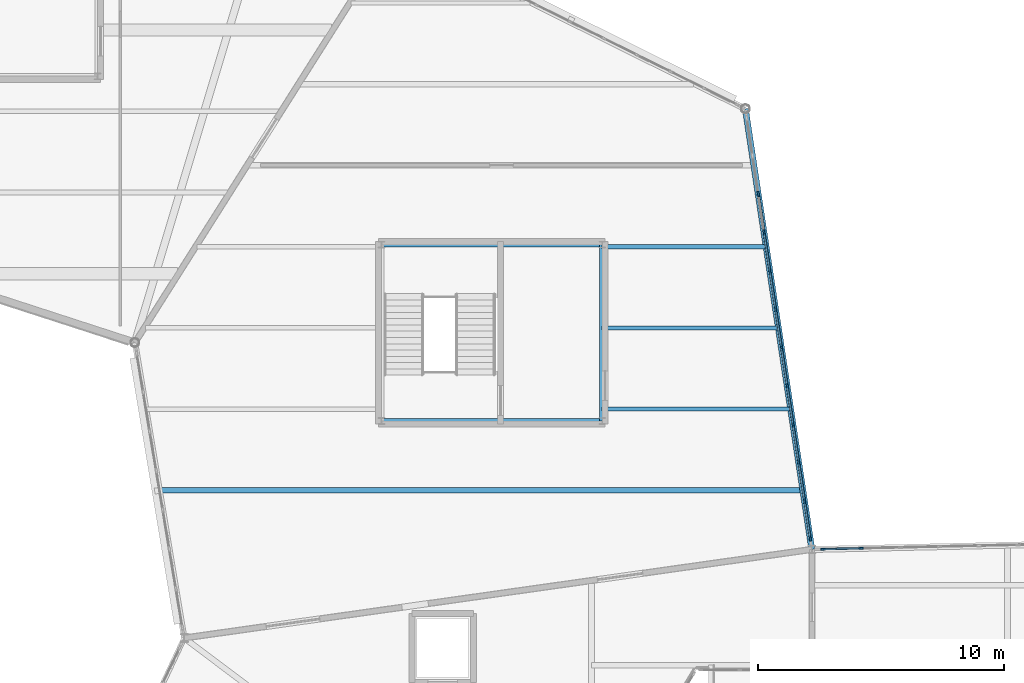
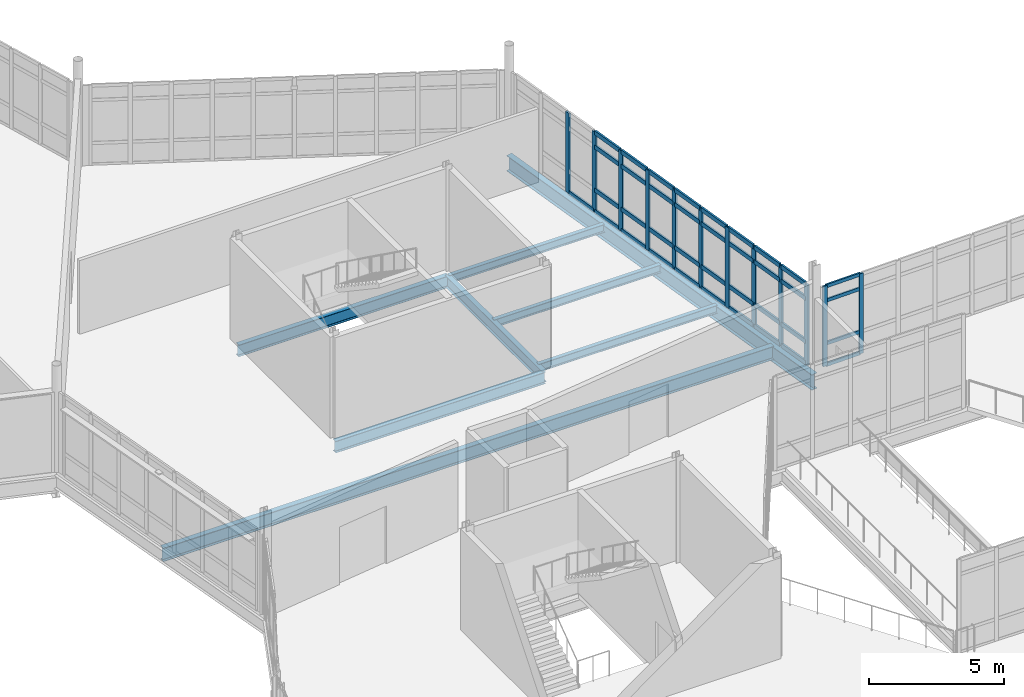
# One storey, part 37 of 114: 49 members, 8 beams, 2 elements without a shape of their own.
"""IFC4 building model written with IfcOpenShell, lengths in metres."""

from ifc_helpers import new_model, si_unit, direction, frame, origin, origin_2d, place, context, subcontext, project, spatial, rectangle, i_section, extrude, material, material_profile, profile_set, type_object, element, aggregate, save


model = new_model("IFC4")

# Units and contexts
model_context = context("Model", 3, precision=1e-05, world=origin(), true_north=direction((0.0, 1.0)))
body_context = subcontext(model_context, "Body", "Model", "MODEL_VIEW")
ifc_project = project(units=[si_unit("LENGTHUNIT", "METRE"), si_unit("AREAUNIT", "SQUARE_METRE"), si_unit("VOLUMEUNIT", "CUBIC_METRE"), si_unit("PLANEANGLEUNIT", "RADIAN"), si_unit("MASSUNIT", "GRAM", prefix="KILO")], contexts=[model_context])

# Site, building, storey
site_placement = place(None, origin())
site = spatial("IfcSite", under=ifc_project, at=site_placement, CompositionType="ELEMENT")
building_placement = place(site_placement, origin())
building = spatial("IfcBuilding", under=site, at=building_placement, Name="Tameran Prism Museum", CompositionType="ELEMENT")
storey_placement = place(building_placement, frame((0.0, 0.0, 10.199951171875)))
storey = spatial("IfcBuildingStorey", under=building, at=storey_placement, Name="L02", CompositionType="ELEMENT", Elevation=10.199951171875)

# Beams
ifc_material_1 = material(Name="Steel Grade 300PLUS (300 MPa)", Category="steel")
ifc_material_profile_1 = material_profile(ifc_material_1, i_section(OverallWidth=0.172119140625, OverallDepth=0.35888671875, WebThickness=0.008056640625, FlangeThickness=0.012939453125, FilletRadius=0.011474609375, at=origin_2d()))
ifc_profile_set_1 = profile_set([ifc_material_profile_1])
beam_type_1 = type_object("IfcBeamType", Name="BM-J360A", PredefinedType="JOIST", material=ifc_profile_set_1)
beam_1_placement = place(storey_placement, frame((68.97998046875, 53.89990234375, -0.37939453125), z_axis=(1.0, 0.0, 0.0), x_axis=(0.0, 1.0, 0.0)))
element("IfcBeam", 1, at=beam_1_placement, inside=storey, type_object=beam_type_1, Name="Floor Beam BM-0864", PredefinedType="JOIST", context=body_context, shape_type="SweptSolid", body=[
    extrude(i_section(OverallWidth=0.172119140625, OverallDepth=0.35888671875, WebThickness=0.008056640625, FlangeThickness=0.012939453125, FilletRadius=0.011474609375, at=origin_2d()), origin(), (0.0, 0.0, 1.0), 7.6201171875),
])
beam_2_placement = place(storey_placement, frame((68.97998046875, 60.5, -0.37939453125), z_axis=(1.0, 0.0, 0.0), x_axis=(0.0, 1.0, 0.0)))
element("IfcBeam", 2, at=beam_2_placement, inside=storey, type_object=beam_type_1, Name="Floor Beam BM-0868", PredefinedType="JOIST", context=body_context, shape_type="SweptSolid", body=[
    extrude(i_section(OverallWidth=0.172119140625, OverallDepth=0.35888671875, WebThickness=0.008056640625, FlangeThickness=0.012939453125, FilletRadius=0.011474609375, at=origin_2d()), origin(), (0.0, 0.0, 1.0), 6.6240234375),
])
ifc_material_2 = material(Name="Steel Grade 300PLUS (300 MPa)", Category="steel")
ifc_material_profile_2 = material_profile(ifc_material_2, i_section(OverallWidth=0.1708984375, OverallDepth=0.35595703125, WebThickness=0.00732421875, FlangeThickness=0.011474609375, FilletRadius=0.011474609375, at=origin_2d()))
ifc_profile_set_2 = profile_set([ifc_material_profile_2])
beam_type_2 = type_object("IfcBeamType", Name="BM-J360B", PredefinedType="JOIST", material=ifc_profile_set_2)
beam_3_placement = place(storey_placement, frame((68.97998046875, 57.199951171875, -0.3779296875), z_axis=(1.0, 0.0, 0.0), x_axis=(0.0, 1.0, 0.0)))
element("IfcBeam", 3, at=beam_3_placement, inside=storey, type_object=beam_type_2, Name="Floor Beam BM-0866", PredefinedType="JOIST", context=body_context, shape_type="SweptSolid", body=[
    extrude(i_section(OverallWidth=0.1708984375, OverallDepth=0.35595703125, WebThickness=0.00732421875, FlangeThickness=0.011474609375, FilletRadius=0.011474609375, at=origin_2d()), origin(), (0.0, 0.0, 1.0), 7.1220703125),
])
ifc_material_3 = material(Name="Steel Grade 300PLUS (300 MPa)", Category="steel")
ifc_material_profile_3 = material_profile(ifc_material_3, i_section(OverallWidth=0.208984375, OverallDepth=0.528076171875, WebThickness=0.009521484375, FlangeThickness=0.01318359375, FilletRadius=0.013916015625, at=origin_2d()))
ifc_profile_set_3 = profile_set([ifc_material_profile_3])
beam_type_3 = type_object("IfcBeamType", Name="BM-SP530B", PredefinedType="SPANDREL", material=ifc_profile_set_3)
beam_4_placement = place(storey_placement, frame((60.02001953125, 53.419921875, -0.50390625), z_axis=(1.0, 0.0, 0.0), x_axis=(0.0, 1.0, 0.0)))
element("IfcBeam", 4, at=beam_4_placement, inside=storey, type_object=beam_type_3, Name="Core Ring Beam CTB-0773", PredefinedType="SPANDREL", context=body_context, shape_type="SweptSolid", body=[
    extrude(i_section(OverallWidth=0.208984375, OverallDepth=0.528076171875, WebThickness=0.009521484375, FlangeThickness=0.01318359375, FilletRadius=0.013916015625, at=origin_2d()), origin(), (0.0, 0.0, 1.0), 8.9599609375),
])
beam_5_placement = place(storey_placement, frame((68.97998046875, 53.419921875, -0.50390625), z_axis=(0.0, 1.0, 0.0), x_axis=(-1.0, 0.0, 0.0)))
element("IfcBeam", 5, at=beam_5_placement, inside=storey, type_object=beam_type_3, Name="Core Ring Beam CTB-0774", PredefinedType="SPANDREL", context=body_context, shape_type="SweptSolid", body=[
    extrude(i_section(OverallWidth=0.208984375, OverallDepth=0.528076171875, WebThickness=0.009521484375, FlangeThickness=0.01318359375, FilletRadius=0.013916015625, at=origin_2d()), origin(), (0.0, 0.0, 1.0), 7.16015625),
])
beam_6_placement = place(storey_placement, frame((68.97998046875, 60.580078125, -0.50390625), z_axis=(-1.0, 0.0, 0.0), x_axis=(0.0, -1.0, 0.0)))
element("IfcBeam", 6, at=beam_6_placement, inside=storey, type_object=beam_type_3, Name="Core Ring Beam CTB-0775", PredefinedType="SPANDREL", context=body_context, shape_type="SweptSolid", body=[
    extrude(i_section(OverallWidth=0.208984375, OverallDepth=0.528076171875, WebThickness=0.009521484375, FlangeThickness=0.01318359375, FilletRadius=0.013916015625, at=origin_2d()), origin(), (0.0, 0.0, 1.0), 8.9599609375),
])
ifc_material_4 = material(Name="Steel Grade 350 (350 MPa)", Category="steel")
ifc_material_profile_4 = material_profile(ifc_material_4, i_section(OverallWidth=0.25, OverallDepth=0.699951171875, WebThickness=0.010009765625, FlangeThickness=0.02001953125, at=origin_2d()))
ifc_profile_set_4 = profile_set([ifc_material_profile_4])
beam_type_4 = type_object("IfcBeamType", Name="BM-SP700", PredefinedType="SPANDREL", material=ifc_profile_set_4)
beam_7_placement = place(storey_placement, frame((77.5, 48.199951171875, -0.550048828125), z_axis=(-0.149146954301, 0.988815041361, 0.0), x_axis=(-0.988815041361, -0.149146954301, 0.0)))
element("IfcBeam", 7, at=beam_7_placement, inside=storey, type_object=beam_type_4, Name="Perimeter Spandrel SP-0691", PredefinedType="SPANDREL", context=body_context, shape_type="SweptSolid", body=[
    extrude(i_section(OverallWidth=0.25, OverallDepth=0.699951171875, WebThickness=0.010009765625, FlangeThickness=0.02001953125, at=origin_2d()), origin(), (0.0, 0.0, 1.0), 18.1025390625),
])
ifc_material_5 = material(Name="Steel Grade 300PLUS (300 MPa)", Category="steel")
ifc_material_profile_5 = material_profile(ifc_material_5, i_section(OverallWidth=0.22802734375, OverallDepth=0.60693359375, WebThickness=0.01123046875, FlangeThickness=0.017333984375, FilletRadius=0.013916015625, at=origin_2d()))
ifc_profile_set_5 = profile_set([ifc_material_profile_5])
beam_type_5 = type_object("IfcBeamType", Name="BM-UB610B", PredefinedType="BEAM", material=ifc_profile_set_5)
beam_8_placement = place(storey_placement, frame((51.041015625, 50.60009765625, -0.50341796875), z_axis=(1.0, 0.0, 0.0), x_axis=(0.0, 1.0, 0.0)))
element("IfcBeam", 8, at=beam_8_placement, inside=storey, type_object=beam_type_5, Name="Floor Beam BM-0862", PredefinedType="BEAM", context=body_context, shape_type="SweptSolid", body=[
    extrude(i_section(OverallWidth=0.22802734375, OverallDepth=0.60693359375, WebThickness=0.01123046875, FlangeThickness=0.017333984375, FilletRadius=0.013916015625, at=origin_2d()), origin(), (0.0, 0.0, 1.0), 26.056884765625),
])

# Curtain wall, members
ifc_material_6 = material(Name="Anodised Aluminium 6063-T6 and Cyclone Solar Glass", Category="aluminium")
curtain_wall_type_1 = type_object("IfcCurtainWallType", Name="CW-FAC-1754x362", PredefinedType="USERDEFINED", material=ifc_material_6)
curtain_wall_1_placement = place(storey_placement, origin())
curtain_wall_1 = element("IfcCurtainWall", 9, at=curtain_wall_1_placement, inside=storey, type_object=curtain_wall_type_1, Name="Unitised Curtain Wall CW-112", ObjectType="UNITISED CURTAIN WALL", PredefinedType="USERDEFINED")
ifc_material_7 = material(Name="Anodised Aluminium Alloy 6063-T6", Category="aluminium")
ifc_material_profile_6 = material_profile(ifc_material_7, rectangle(XDim=0.070068359375, YDim=0.179931640625, at=origin_2d()))
ifc_profile_set_6 = profile_set([ifc_material_profile_6])
member_type_1 = type_object("IfcMemberType", Name="CW-MUL-B", PredefinedType="MULLION", material=ifc_profile_set_6)
member_1_placement = place(storey_placement, frame((77.945068359375, 48.209716796875, 0.0), z_axis=(0.0, 0.0, 1.0), x_axis=(-0.021830600058, 0.999761684053, 0.0)))
member_1 = element("IfcMember", 10, at=member_1_placement, type_object=member_type_1, Name="CW-112 mullion 1", PredefinedType="MULLION", context=body_context, shape_type="SweptSolid", body=[
    extrude(rectangle(XDim=0.070068359375, YDim=0.179931640625, at=origin_2d()), origin(), (0.0, 0.0, 1.0), 3.6201171875),
])
member_2_placement = place(storey_placement, frame((79.504638671875, 48.243896484375, 0.0), z_axis=(0.0, 0.0, 1.0), x_axis=(-0.021830600058, 0.999761684053, 0.0)))
member_2 = element("IfcMember", 11, at=member_2_placement, type_object=member_type_1, Name="CW-112 mullion 2", PredefinedType="MULLION", context=body_context, shape_type="SweptSolid", body=[
    extrude(rectangle(XDim=0.070068359375, YDim=0.179931640625, at=origin_2d()), origin(), (0.0, 0.0, 1.0), 3.6201171875),
])

ifc_material_8 = material(Name="Anodised Aluminium 6063-T6 and Cyclone Solar Glass", Category="aluminium")
curtain_wall_type_2 = type_object("IfcCurtainWallType", Name="CW-FAC-1734x362", PredefinedType="USERDEFINED", material=ifc_material_8)
curtain_wall_2_placement = place(storey_placement, origin())
curtain_wall_2 = element("IfcCurtainWall", 12, at=curtain_wall_2_placement, inside=storey, type_object=curtain_wall_type_2, Name="Unitised Curtain Wall CW-114", ObjectType="UNITISED CURTAIN WALL", PredefinedType="USERDEFINED")
ifc_material_9 = material(Name="Anodised Aluminium Alloy 6063-T6", Category="aluminium")
ifc_material_profile_7 = material_profile(ifc_material_9, rectangle(XDim=0.080078125, YDim=0.219970703125, at=origin_2d()))
ifc_profile_set_7 = profile_set([ifc_material_profile_7])
member_type_2 = type_object("IfcMemberType", Name="CW-MUL-D", PredefinedType="MULLION", material=ifc_profile_set_7)
member_3_placement = place(storey_placement, frame((75.322265625, 62.635986328125, 0.0), z_axis=(0.0, 0.0, 1.0), x_axis=(0.988812088052, 0.149166532852, 0.0)))
member_3 = element("IfcMember", 13, at=member_3_placement, type_object=member_type_2, Name="CW-114 mullion 3", PredefinedType="MULLION", context=body_context, shape_type="SweptSolid", body=[
    extrude(rectangle(XDim=0.080078125, YDim=0.219970703125, at=origin_2d()), origin(), (0.0, 0.0, 1.0), 3.6201171875),
])
member_4_placement = place(storey_placement, frame((75.5576171875, 61.076904296875, 0.0), z_axis=(0.0, 0.0, 1.0), x_axis=(0.988812088052, 0.149166532852, 0.0)))
member_4 = element("IfcMember", 14, at=member_4_placement, type_object=member_type_2, Name="CW-114 mullion 4", PredefinedType="MULLION", context=body_context, shape_type="SweptSolid", body=[
    extrude(rectangle(XDim=0.080078125, YDim=0.219970703125, at=origin_2d()), origin(), (0.0, 0.0, 1.0), 3.6201171875),
])
member_5_placement = place(storey_placement, frame((75.792724609375, 59.51806640625, 0.0), z_axis=(0.0, 0.0, 1.0), x_axis=(0.988812088052, 0.149166532852, 0.0)))
member_5 = element("IfcMember", 15, at=member_5_placement, type_object=member_type_2, Name="CW-114 mullion 5", PredefinedType="MULLION", context=body_context, shape_type="SweptSolid", body=[
    extrude(rectangle(XDim=0.080078125, YDim=0.219970703125, at=origin_2d()), origin(), (0.0, 0.0, 1.0), 3.6201171875),
])
member_6_placement = place(storey_placement, frame((76.02783203125, 57.958984375, 0.0), z_axis=(0.0, 0.0, 1.0), x_axis=(0.988812088052, 0.149166532852, 0.0)))
member_6 = element("IfcMember", 16, at=member_6_placement, type_object=member_type_2, Name="CW-114 mullion 6", PredefinedType="MULLION", context=body_context, shape_type="SweptSolid", body=[
    extrude(rectangle(XDim=0.080078125, YDim=0.219970703125, at=origin_2d()), origin(), (0.0, 0.0, 1.0), 3.6201171875),
])
member_7_placement = place(storey_placement, frame((76.26318359375, 56.39990234375, 0.0), z_axis=(0.0, 0.0, 1.0), x_axis=(0.988812088052, 0.149166532852, 0.0)))
member_7 = element("IfcMember", 17, at=member_7_placement, type_object=member_type_2, Name="CW-114 mullion 7", PredefinedType="MULLION", context=body_context, shape_type="SweptSolid", body=[
    extrude(rectangle(XDim=0.080078125, YDim=0.219970703125, at=origin_2d()), origin(), (0.0, 0.0, 1.0), 3.6201171875),
])
member_8_placement = place(storey_placement, frame((76.498291015625, 54.841064453125, 0.0), z_axis=(0.0, 0.0, 1.0), x_axis=(0.988812088052, 0.149166532852, 0.0)))
member_8 = element("IfcMember", 18, at=member_8_placement, type_object=member_type_2, Name="CW-114 mullion 8", PredefinedType="MULLION", context=body_context, shape_type="SweptSolid", body=[
    extrude(rectangle(XDim=0.080078125, YDim=0.219970703125, at=origin_2d()), origin(), (0.0, 0.0, 1.0), 3.6201171875),
])
member_9_placement = place(storey_placement, frame((76.7333984375, 53.281982421875, 0.0), z_axis=(0.0, 0.0, 1.0), x_axis=(0.988812088052, 0.149166532852, 0.0)))
member_9 = element("IfcMember", 19, at=member_9_placement, type_object=member_type_2, Name="CW-114 mullion 9", PredefinedType="MULLION", context=body_context, shape_type="SweptSolid", body=[
    extrude(rectangle(XDim=0.080078125, YDim=0.219970703125, at=origin_2d()), origin(), (0.0, 0.0, 1.0), 3.6201171875),
])
member_10_placement = place(storey_placement, frame((76.96875, 51.722900390625, 0.0), z_axis=(0.0, 0.0, 1.0), x_axis=(0.988812088052, 0.149166532852, 0.0)))
member_10 = element("IfcMember", 20, at=member_10_placement, type_object=member_type_2, Name="CW-114 mullion 10", PredefinedType="MULLION", context=body_context, shape_type="SweptSolid", body=[
    extrude(rectangle(XDim=0.080078125, YDim=0.219970703125, at=origin_2d()), origin(), (0.0, 0.0, 1.0), 3.6201171875),
])
member_11_placement = place(storey_placement, frame((77.203857421875, 50.1640625, 0.0), z_axis=(0.0, 0.0, 1.0), x_axis=(0.988812088052, 0.149166532852, 0.0)))
member_11 = element("IfcMember", 21, at=member_11_placement, type_object=member_type_2, Name="CW-114 mullion 11", PredefinedType="MULLION", context=body_context, shape_type="SweptSolid", body=[
    extrude(rectangle(XDim=0.080078125, YDim=0.219970703125, at=origin_2d()), origin(), (0.0, 0.0, 1.0), 3.6201171875),
])
member_12_placement = place(storey_placement, frame((77.43310546875, 48.64453125, 0.0), z_axis=(0.0, 0.0, 1.0), x_axis=(0.988812088052, 0.149166532852, 0.0)))
member_12 = element("IfcMember", 22, at=member_12_placement, type_object=member_type_2, Name="CW-114 mullion 12", PredefinedType="MULLION", context=body_context, shape_type="SweptSolid", body=[
    extrude(rectangle(XDim=0.080078125, YDim=0.219970703125, at=origin_2d()), origin(), (0.0, 0.0, 1.0), 3.6201171875),
])

# Member
ifc_material_10 = material(Name="Anodised Aluminium Alloy 6063-T6", Category="aluminium")
ifc_material_profile_8 = material_profile(ifc_material_10, rectangle(XDim=0.070068359375, YDim=0.155029296875, at=origin_2d()))
ifc_profile_set_8 = profile_set([ifc_material_profile_8])
member_type_3 = type_object("IfcMemberType", Name="CW-TRN-B", PredefinedType="USERDEFINED", material=ifc_profile_set_8)
member_13_placement = place(storey_placement, frame((77.97998046875, 48.21044921875, 0.03515625), z_axis=(0.999758887094, 0.021958316812, 0.0), x_axis=(-0.021958316812, 0.999758887094, 0.0)))
member_13 = element("IfcMember", 23, at=member_13_placement, type_object=member_type_3, Name="CW-112 transom 1.1", ObjectType="TRANSOM", PredefinedType="USERDEFINED", context=body_context, shape_type="SweptSolid", body=[
    extrude(rectangle(XDim=0.070068359375, YDim=0.155029296875, at=origin_2d()), origin(), (0.0, 0.0, 1.0), 1.48974609375),
])

member_14_placement = place(storey_placement, frame((77.97998046875, 48.21044921875, 1.0), z_axis=(0.999758887094, 0.021958316812, 0.0), x_axis=(-0.021958316812, 0.999758887094, 0.0)))
member_14 = element("IfcMember", 24, at=member_14_placement, type_object=member_type_3, Name="CW-112 transom 1.2", ObjectType="TRANSOM", PredefinedType="USERDEFINED", context=body_context, shape_type="SweptSolid", body=[
    extrude(rectangle(XDim=0.070068359375, YDim=0.155029296875, at=origin_2d()), origin(), (0.0, 0.0, 1.0), 1.48974609375),
])

member_15_placement = place(storey_placement, frame((77.97998046875, 48.21044921875, 2.93994140625), z_axis=(0.999758887094, 0.021958316812, 0.0), x_axis=(-0.021958316812, 0.999758887094, 0.0)))
member_15 = element("IfcMember", 25, at=member_15_placement, type_object=member_type_3, Name="CW-112 transom 1.3", ObjectType="TRANSOM", PredefinedType="USERDEFINED", context=body_context, shape_type="SweptSolid", body=[
    extrude(rectangle(XDim=0.070068359375, YDim=0.155029296875, at=origin_2d()), origin(), (0.0, 0.0, 1.0), 1.48974609375),
])

member_16_placement = place(storey_placement, frame((77.97998046875, 48.21044921875, 3.5849609375), z_axis=(0.999758887094, 0.021958316812, 0.0), x_axis=(-0.021958316812, 0.999758887094, 0.0)))
member_16 = element("IfcMember", 26, at=member_16_placement, type_object=member_type_3, Name="CW-112 transom 1.4", ObjectType="TRANSOM", PredefinedType="USERDEFINED", context=body_context, shape_type="SweptSolid", body=[
    extrude(rectangle(XDim=0.070068359375, YDim=0.155029296875, at=origin_2d()), origin(), (0.0, 0.0, 1.0), 1.48974609375),
])

aggregate(curtain_wall_1, [member_1, member_2, member_13, member_14, member_15, member_16])

ifc_material_11 = material(Name="Anodised Aluminium Alloy 6063-T6", Category="aluminium")
ifc_material_profile_9 = material_profile(ifc_material_11, rectangle(XDim=0.080078125, YDim=0.195068359375, at=origin_2d()))
ifc_profile_set_9 = profile_set([ifc_material_profile_9])
member_type_4 = type_object("IfcMemberType", Name="CW-TRN-D", PredefinedType="USERDEFINED", material=ifc_profile_set_9)
member_17_placement = place(storey_placement, frame((75.328369140625, 62.596435546875, 0.0400390625), z_axis=(0.149090196477, -0.988823600707, 0.0), x_axis=(0.988823600707, 0.149090196477, 0.0)))
member_17 = element("IfcMember", 27, at=member_17_placement, type_object=member_type_4, Name="CW-114 transom 3.1", ObjectType="TRANSOM", PredefinedType="USERDEFINED", context=body_context, shape_type="SweptSolid", body=[
    extrude(rectangle(XDim=0.080078125, YDim=0.195068359375, at=origin_2d()), origin(), (0.0, 0.0, 1.0), 1.496826171875),
])

member_18_placement = place(storey_placement, frame((75.5634765625, 61.037353515625, 0.0400390625), z_axis=(0.149273759197, -0.988795906553, 0.0), x_axis=(0.988795906553, 0.149273759197, 0.0)))
member_18 = element("IfcMember", 28, at=member_18_placement, type_object=member_type_4, Name="CW-114 transom 4.1", ObjectType="TRANSOM", PredefinedType="USERDEFINED", context=body_context, shape_type="SweptSolid", body=[
    extrude(rectangle(XDim=0.080078125, YDim=0.195068359375, at=origin_2d()), origin(), (0.0, 0.0, 1.0), 1.49658203125),
])

member_19_placement = place(storey_placement, frame((75.5634765625, 61.037353515625, 1.0), z_axis=(0.149273759197, -0.988795906553, 0.0), x_axis=(0.988795906553, 0.149273759197, 0.0)))
member_19 = element("IfcMember", 29, at=member_19_placement, type_object=member_type_4, Name="CW-114 transom 4.2", ObjectType="TRANSOM", PredefinedType="USERDEFINED", context=body_context, shape_type="SweptSolid", body=[
    extrude(rectangle(XDim=0.080078125, YDim=0.195068359375, at=origin_2d()), origin(), (0.0, 0.0, 1.0), 1.49658203125),
])

member_20_placement = place(storey_placement, frame((75.5634765625, 61.037353515625, 2.93994140625), z_axis=(0.149273759197, -0.988795906553, 0.0), x_axis=(0.988795906553, 0.149273759197, 0.0)))
member_20 = element("IfcMember", 30, at=member_20_placement, type_object=member_type_4, Name="CW-114 transom 4.3", ObjectType="TRANSOM", PredefinedType="USERDEFINED", context=body_context, shape_type="SweptSolid", body=[
    extrude(rectangle(XDim=0.080078125, YDim=0.195068359375, at=origin_2d()), origin(), (0.0, 0.0, 1.0), 1.49658203125),
])

member_21_placement = place(storey_placement, frame((75.5634765625, 61.037353515625, 3.580078125), z_axis=(0.149273759197, -0.988795906553, 0.0), x_axis=(0.988795906553, 0.149273759197, 0.0)))
member_21 = element("IfcMember", 31, at=member_21_placement, type_object=member_type_4, Name="CW-114 transom 4.4", ObjectType="TRANSOM", PredefinedType="USERDEFINED", context=body_context, shape_type="SweptSolid", body=[
    extrude(rectangle(XDim=0.080078125, YDim=0.195068359375, at=origin_2d()), origin(), (0.0, 0.0, 1.0), 1.49658203125),
])

member_22_placement = place(storey_placement, frame((75.798583984375, 59.478515625, 0.0400390625), z_axis=(0.149249683257, -0.988799540882, 0.0), x_axis=(0.988799540882, 0.149249683257, 0.0)))
member_22 = element("IfcMember", 32, at=member_22_placement, type_object=member_type_4, Name="CW-114 transom 5.1", ObjectType="TRANSOM", PredefinedType="USERDEFINED", context=body_context, shape_type="SweptSolid", body=[
    extrude(rectangle(XDim=0.080078125, YDim=0.195068359375, at=origin_2d()), origin(), (0.0, 0.0, 1.0), 1.496826171875),
])

member_23_placement = place(storey_placement, frame((75.798583984375, 59.478515625, 1.0), z_axis=(0.149249683257, -0.988799540882, 0.0), x_axis=(0.988799540882, 0.149249683257, 0.0)))
member_23 = element("IfcMember", 33, at=member_23_placement, type_object=member_type_4, Name="CW-114 transom 5.2", ObjectType="TRANSOM", PredefinedType="USERDEFINED", context=body_context, shape_type="SweptSolid", body=[
    extrude(rectangle(XDim=0.080078125, YDim=0.195068359375, at=origin_2d()), origin(), (0.0, 0.0, 1.0), 1.496826171875),
])

member_24_placement = place(storey_placement, frame((75.798583984375, 59.478515625, 2.93994140625), z_axis=(0.149249683257, -0.988799540882, 0.0), x_axis=(0.988799540882, 0.149249683257, 0.0)))
member_24 = element("IfcMember", 34, at=member_24_placement, type_object=member_type_4, Name="CW-114 transom 5.3", ObjectType="TRANSOM", PredefinedType="USERDEFINED", context=body_context, shape_type="SweptSolid", body=[
    extrude(rectangle(XDim=0.080078125, YDim=0.195068359375, at=origin_2d()), origin(), (0.0, 0.0, 1.0), 1.496826171875),
])

member_25_placement = place(storey_placement, frame((75.798583984375, 59.478515625, 3.580078125), z_axis=(0.149249683257, -0.988799540882, 0.0), x_axis=(0.988799540882, 0.149249683257, 0.0)))
member_25 = element("IfcMember", 35, at=member_25_placement, type_object=member_type_4, Name="CW-114 transom 5.4", ObjectType="TRANSOM", PredefinedType="USERDEFINED", context=body_context, shape_type="SweptSolid", body=[
    extrude(rectangle(XDim=0.080078125, YDim=0.195068359375, at=origin_2d()), origin(), (0.0, 0.0, 1.0), 1.496826171875),
])

member_26_placement = place(storey_placement, frame((76.033935546875, 57.91943359375, 0.0400390625), z_axis=(0.149090196477, -0.988823600707, 0.0), x_axis=(0.988823600707, 0.149090196477, 0.0)))
member_26 = element("IfcMember", 36, at=member_26_placement, type_object=member_type_4, Name="CW-114 transom 6.1", ObjectType="TRANSOM", PredefinedType="USERDEFINED", context=body_context, shape_type="SweptSolid", body=[
    extrude(rectangle(XDim=0.080078125, YDim=0.195068359375, at=origin_2d()), origin(), (0.0, 0.0, 1.0), 1.496826171875),
])

member_27_placement = place(storey_placement, frame((76.033935546875, 57.91943359375, 1.0), z_axis=(0.149090196477, -0.988823600707, 0.0), x_axis=(0.988823600707, 0.149090196477, 0.0)))
member_27 = element("IfcMember", 37, at=member_27_placement, type_object=member_type_4, Name="CW-114 transom 6.2", ObjectType="TRANSOM", PredefinedType="USERDEFINED", context=body_context, shape_type="SweptSolid", body=[
    extrude(rectangle(XDim=0.080078125, YDim=0.195068359375, at=origin_2d()), origin(), (0.0, 0.0, 1.0), 1.496826171875),
])

member_28_placement = place(storey_placement, frame((76.033935546875, 57.91943359375, 2.93994140625), z_axis=(0.149090196477, -0.988823600707, 0.0), x_axis=(0.988823600707, 0.149090196477, 0.0)))
member_28 = element("IfcMember", 38, at=member_28_placement, type_object=member_type_4, Name="CW-114 transom 6.3", ObjectType="TRANSOM", PredefinedType="USERDEFINED", context=body_context, shape_type="SweptSolid", body=[
    extrude(rectangle(XDim=0.080078125, YDim=0.195068359375, at=origin_2d()), origin(), (0.0, 0.0, 1.0), 1.496826171875),
])

member_29_placement = place(storey_placement, frame((76.033935546875, 57.91943359375, 3.580078125), z_axis=(0.149090196477, -0.988823600707, 0.0), x_axis=(0.988823600707, 0.149090196477, 0.0)))
member_29 = element("IfcMember", 39, at=member_29_placement, type_object=member_type_4, Name="CW-114 transom 6.4", ObjectType="TRANSOM", PredefinedType="USERDEFINED", context=body_context, shape_type="SweptSolid", body=[
    extrude(rectangle(XDim=0.080078125, YDim=0.195068359375, at=origin_2d()), origin(), (0.0, 0.0, 1.0), 1.496826171875),
])

member_30_placement = place(storey_placement, frame((76.26904296875, 56.3603515625, 0.0400390625), z_axis=(0.149114247861, -0.988819974052, 0.0), x_axis=(0.988819974052, 0.149114247861, 0.0)))
member_30 = element("IfcMember", 40, at=member_30_placement, type_object=member_type_4, Name="CW-114 transom 7.1", ObjectType="TRANSOM", PredefinedType="USERDEFINED", context=body_context, shape_type="SweptSolid", body=[
    extrude(rectangle(XDim=0.080078125, YDim=0.195068359375, at=origin_2d()), origin(), (0.0, 0.0, 1.0), 1.49658203125),
])

member_31_placement = place(storey_placement, frame((76.26904296875, 56.3603515625, 1.0), z_axis=(0.149114247861, -0.988819974052, 0.0), x_axis=(0.988819974052, 0.149114247861, 0.0)))
member_31 = element("IfcMember", 41, at=member_31_placement, type_object=member_type_4, Name="CW-114 transom 7.2", ObjectType="TRANSOM", PredefinedType="USERDEFINED", context=body_context, shape_type="SweptSolid", body=[
    extrude(rectangle(XDim=0.080078125, YDim=0.195068359375, at=origin_2d()), origin(), (0.0, 0.0, 1.0), 1.49658203125),
])

member_32_placement = place(storey_placement, frame((76.26904296875, 56.3603515625, 2.93994140625), z_axis=(0.149114247861, -0.988819974052, 0.0), x_axis=(0.988819974052, 0.149114247861, 0.0)))
member_32 = element("IfcMember", 42, at=member_32_placement, type_object=member_type_4, Name="CW-114 transom 7.3", ObjectType="TRANSOM", PredefinedType="USERDEFINED", context=body_context, shape_type="SweptSolid", body=[
    extrude(rectangle(XDim=0.080078125, YDim=0.195068359375, at=origin_2d()), origin(), (0.0, 0.0, 1.0), 1.49658203125),
])

member_33_placement = place(storey_placement, frame((76.26904296875, 56.3603515625, 3.580078125), z_axis=(0.149114247861, -0.988819974052, 0.0), x_axis=(0.988819974052, 0.149114247861, 0.0)))
member_33 = element("IfcMember", 43, at=member_33_placement, type_object=member_type_4, Name="CW-114 transom 7.4", ObjectType="TRANSOM", PredefinedType="USERDEFINED", context=body_context, shape_type="SweptSolid", body=[
    extrude(rectangle(XDim=0.080078125, YDim=0.195068359375, at=origin_2d()), origin(), (0.0, 0.0, 1.0), 1.49658203125),
])

member_34_placement = place(storey_placement, frame((76.504150390625, 54.801513671875, 0.0400390625), z_axis=(0.149249683257, -0.988799540882, 0.0), x_axis=(0.988799540882, 0.149249683257, 0.0)))
member_34 = element("IfcMember", 44, at=member_34_placement, type_object=member_type_4, Name="CW-114 transom 8.1", ObjectType="TRANSOM", PredefinedType="USERDEFINED", context=body_context, shape_type="SweptSolid", body=[
    extrude(rectangle(XDim=0.080078125, YDim=0.195068359375, at=origin_2d()), origin(), (0.0, 0.0, 1.0), 1.496826171875),
])

member_35_placement = place(storey_placement, frame((76.504150390625, 54.801513671875, 1.0), z_axis=(0.149249683257, -0.988799540882, 0.0), x_axis=(0.988799540882, 0.149249683257, 0.0)))
member_35 = element("IfcMember", 45, at=member_35_placement, type_object=member_type_4, Name="CW-114 transom 8.2", ObjectType="TRANSOM", PredefinedType="USERDEFINED", context=body_context, shape_type="SweptSolid", body=[
    extrude(rectangle(XDim=0.080078125, YDim=0.195068359375, at=origin_2d()), origin(), (0.0, 0.0, 1.0), 1.496826171875),
])

member_36_placement = place(storey_placement, frame((76.504150390625, 54.801513671875, 2.93994140625), z_axis=(0.149249683257, -0.988799540882, 0.0), x_axis=(0.988799540882, 0.149249683257, 0.0)))
member_36 = element("IfcMember", 46, at=member_36_placement, type_object=member_type_4, Name="CW-114 transom 8.3", ObjectType="TRANSOM", PredefinedType="USERDEFINED", context=body_context, shape_type="SweptSolid", body=[
    extrude(rectangle(XDim=0.080078125, YDim=0.195068359375, at=origin_2d()), origin(), (0.0, 0.0, 1.0), 1.496826171875),
])

member_37_placement = place(storey_placement, frame((76.504150390625, 54.801513671875, 3.580078125), z_axis=(0.149249683257, -0.988799540882, 0.0), x_axis=(0.988799540882, 0.149249683257, 0.0)))
member_37 = element("IfcMember", 47, at=member_37_placement, type_object=member_type_4, Name="CW-114 transom 8.4", ObjectType="TRANSOM", PredefinedType="USERDEFINED", context=body_context, shape_type="SweptSolid", body=[
    extrude(rectangle(XDim=0.080078125, YDim=0.195068359375, at=origin_2d()), origin(), (0.0, 0.0, 1.0), 1.496826171875),
])

member_38_placement = place(storey_placement, frame((76.739501953125, 53.242431640625, 0.0400390625), z_axis=(0.149090196477, -0.988823600707, 0.0), x_axis=(0.988823600707, 0.149090196477, 0.0)))
member_38 = element("IfcMember", 48, at=member_38_placement, type_object=member_type_4, Name="CW-114 transom 9.1", ObjectType="TRANSOM", PredefinedType="USERDEFINED", context=body_context, shape_type="SweptSolid", body=[
    extrude(rectangle(XDim=0.080078125, YDim=0.195068359375, at=origin_2d()), origin(), (0.0, 0.0, 1.0), 1.496826171875),
])

member_39_placement = place(storey_placement, frame((76.739501953125, 53.242431640625, 1.0), z_axis=(0.149090196477, -0.988823600707, 0.0), x_axis=(0.988823600707, 0.149090196477, 0.0)))
member_39 = element("IfcMember", 49, at=member_39_placement, type_object=member_type_4, Name="CW-114 transom 9.2", ObjectType="TRANSOM", PredefinedType="USERDEFINED", context=body_context, shape_type="SweptSolid", body=[
    extrude(rectangle(XDim=0.080078125, YDim=0.195068359375, at=origin_2d()), origin(), (0.0, 0.0, 1.0), 1.496826171875),
])

member_40_placement = place(storey_placement, frame((76.739501953125, 53.242431640625, 2.93994140625), z_axis=(0.149090196477, -0.988823600707, 0.0), x_axis=(0.988823600707, 0.149090196477, 0.0)))
member_40 = element("IfcMember", 50, at=member_40_placement, type_object=member_type_4, Name="CW-114 transom 9.3", ObjectType="TRANSOM", PredefinedType="USERDEFINED", context=body_context, shape_type="SweptSolid", body=[
    extrude(rectangle(XDim=0.080078125, YDim=0.195068359375, at=origin_2d()), origin(), (0.0, 0.0, 1.0), 1.496826171875),
])

member_41_placement = place(storey_placement, frame((76.739501953125, 53.242431640625, 3.580078125), z_axis=(0.149090196477, -0.988823600707, 0.0), x_axis=(0.988823600707, 0.149090196477, 0.0)))
member_41 = element("IfcMember", 51, at=member_41_placement, type_object=member_type_4, Name="CW-114 transom 9.4", ObjectType="TRANSOM", PredefinedType="USERDEFINED", context=body_context, shape_type="SweptSolid", body=[
    extrude(rectangle(XDim=0.080078125, YDim=0.195068359375, at=origin_2d()), origin(), (0.0, 0.0, 1.0), 1.496826171875),
])

member_42_placement = place(storey_placement, frame((76.974609375, 51.683349609375, 0.0400390625), z_axis=(0.149114247861, -0.988819974052, 0.0), x_axis=(0.988819974052, 0.149114247861, 0.0)))
member_42 = element("IfcMember", 52, at=member_42_placement, type_object=member_type_4, Name="CW-114 transom 10.1", ObjectType="TRANSOM", PredefinedType="USERDEFINED", context=body_context, shape_type="SweptSolid", body=[
    extrude(rectangle(XDim=0.080078125, YDim=0.195068359375, at=origin_2d()), origin(), (0.0, 0.0, 1.0), 1.49658203125),
])

member_43_placement = place(storey_placement, frame((76.974609375, 51.683349609375, 1.0), z_axis=(0.149114247861, -0.988819974052, 0.0), x_axis=(0.988819974052, 0.149114247861, 0.0)))
member_43 = element("IfcMember", 53, at=member_43_placement, type_object=member_type_4, Name="CW-114 transom 10.2", ObjectType="TRANSOM", PredefinedType="USERDEFINED", context=body_context, shape_type="SweptSolid", body=[
    extrude(rectangle(XDim=0.080078125, YDim=0.195068359375, at=origin_2d()), origin(), (0.0, 0.0, 1.0), 1.49658203125),
])

member_44_placement = place(storey_placement, frame((76.974609375, 51.683349609375, 2.93994140625), z_axis=(0.149114247861, -0.988819974052, 0.0), x_axis=(0.988819974052, 0.149114247861, 0.0)))
member_44 = element("IfcMember", 54, at=member_44_placement, type_object=member_type_4, Name="CW-114 transom 10.3", ObjectType="TRANSOM", PredefinedType="USERDEFINED", context=body_context, shape_type="SweptSolid", body=[
    extrude(rectangle(XDim=0.080078125, YDim=0.195068359375, at=origin_2d()), origin(), (0.0, 0.0, 1.0), 1.49658203125),
])

member_45_placement = place(storey_placement, frame((76.974609375, 51.683349609375, 3.580078125), z_axis=(0.149114247861, -0.988819974052, 0.0), x_axis=(0.988819974052, 0.149114247861, 0.0)))
member_45 = element("IfcMember", 55, at=member_45_placement, type_object=member_type_4, Name="CW-114 transom 10.4", ObjectType="TRANSOM", PredefinedType="USERDEFINED", context=body_context, shape_type="SweptSolid", body=[
    extrude(rectangle(XDim=0.080078125, YDim=0.195068359375, at=origin_2d()), origin(), (0.0, 0.0, 1.0), 1.49658203125),
])

member_46_placement = place(storey_placement, frame((77.209716796875, 50.12451171875, 0.0400390625), z_axis=(0.149159939586, -0.988813082651, 0.0), x_axis=(0.988813082651, 0.149159939586, 0.0)))
member_46 = element("IfcMember", 56, at=member_46_placement, type_object=member_type_4, Name="CW-114 transom 11.1", ObjectType="TRANSOM", PredefinedType="USERDEFINED", context=body_context, shape_type="SweptSolid", body=[
    extrude(rectangle(XDim=0.080078125, YDim=0.195068359375, at=origin_2d()), origin(), (0.0, 0.0, 1.0), 1.456787109375),
])

member_47_placement = place(storey_placement, frame((77.209716796875, 50.12451171875, 1.0), z_axis=(0.149159939586, -0.988813082651, 0.0), x_axis=(0.988813082651, 0.149159939586, 0.0)))
member_47 = element("IfcMember", 57, at=member_47_placement, type_object=member_type_4, Name="CW-114 transom 11.2", ObjectType="TRANSOM", PredefinedType="USERDEFINED", context=body_context, shape_type="SweptSolid", body=[
    extrude(rectangle(XDim=0.080078125, YDim=0.195068359375, at=origin_2d()), origin(), (0.0, 0.0, 1.0), 1.456787109375),
])

member_48_placement = place(storey_placement, frame((77.209716796875, 50.12451171875, 2.93994140625), z_axis=(0.149159939586, -0.988813082651, 0.0), x_axis=(0.988813082651, 0.149159939586, 0.0)))
member_48 = element("IfcMember", 58, at=member_48_placement, type_object=member_type_4, Name="CW-114 transom 11.3", ObjectType="TRANSOM", PredefinedType="USERDEFINED", context=body_context, shape_type="SweptSolid", body=[
    extrude(rectangle(XDim=0.080078125, YDim=0.195068359375, at=origin_2d()), origin(), (0.0, 0.0, 1.0), 1.456787109375),
])

member_49_placement = place(storey_placement, frame((77.209716796875, 50.12451171875, 3.580078125), z_axis=(0.149159939586, -0.988813082651, 0.0), x_axis=(0.988813082651, 0.149159939586, 0.0)))
member_49 = element("IfcMember", 59, at=member_49_placement, type_object=member_type_4, Name="CW-114 transom 11.4", ObjectType="TRANSOM", PredefinedType="USERDEFINED", context=body_context, shape_type="SweptSolid", body=[
    extrude(rectangle(XDim=0.080078125, YDim=0.195068359375, at=origin_2d()), origin(), (0.0, 0.0, 1.0), 1.456787109375),
])

aggregate(curtain_wall_2, [member_3, member_4, member_5, member_6, member_7, member_8, member_9, member_10, member_11, member_12, member_17, member_18, member_19, member_20, member_21, member_22, member_23, member_24, member_25, member_26, member_27, member_28, member_29, member_30, member_31, member_32, member_33, member_34, member_35, member_36, member_37, member_38, member_39, member_40, member_41, member_42, member_43, member_44, member_45, member_46, member_47, member_48, member_49])

save(model, "model.ifc")
